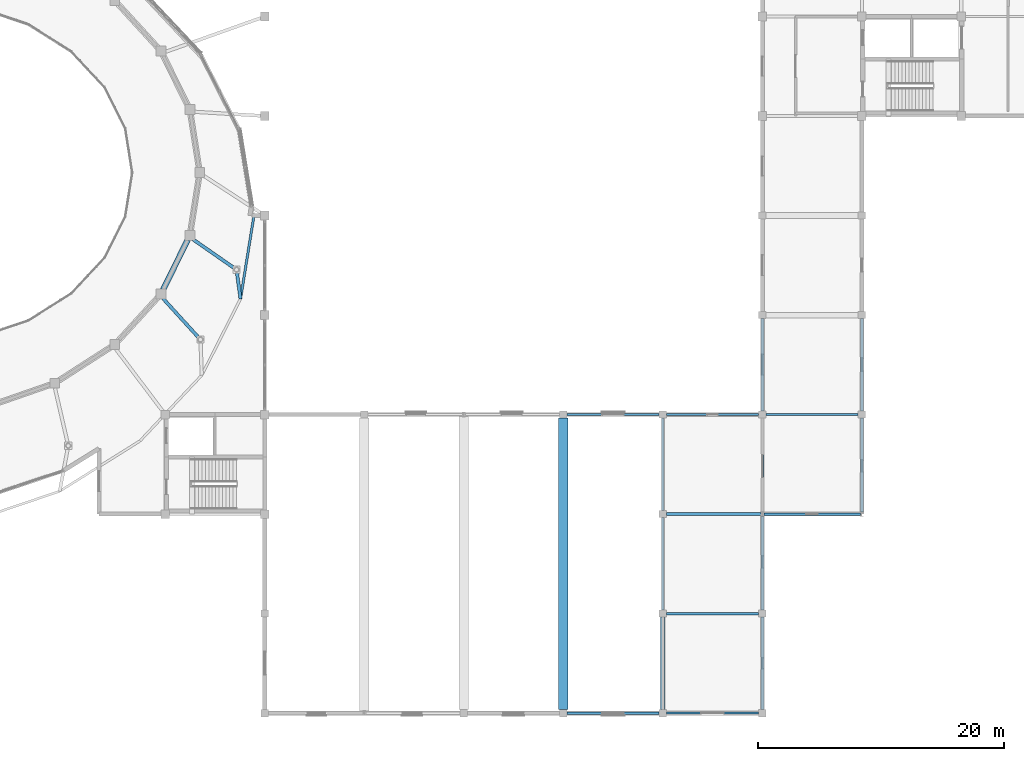
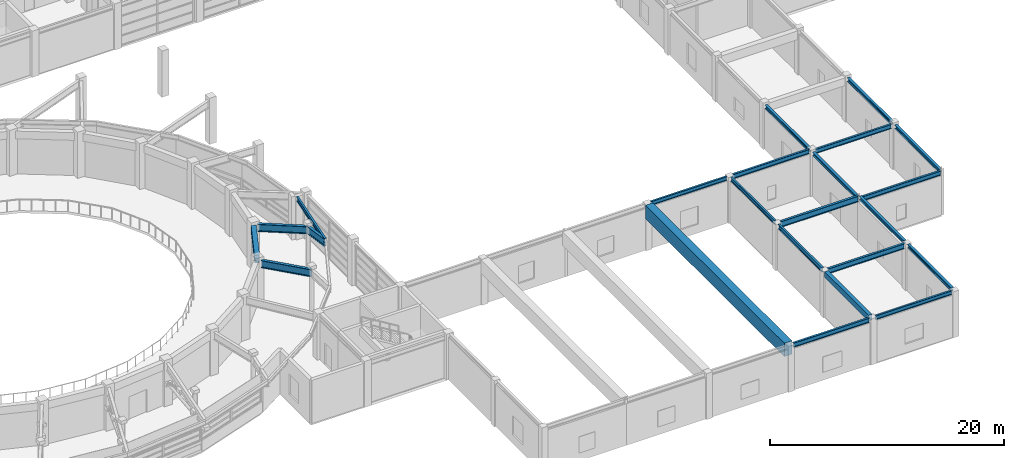
# One storey, part 21 of 58: 23 beams.
"""IFC4 building model written with IfcOpenShell, lengths in metres."""

from ifc_helpers import new_model, si_unit, direction, frame, origin, origin_2d, place, context, subcontext, project, spatial, rectangle, i_section, extrude, material, material_profile, profile_set, type_object, element, save


model = new_model("IFC4")

# Units and contexts
model_context = context("Model", 3, precision=1e-05, world=origin(), true_north=direction((0.0, 1.0)))
body_context = subcontext(model_context, "Body", "Model", "MODEL_VIEW")
ifc_project = project(units=[si_unit("LENGTHUNIT", "METRE"), si_unit("AREAUNIT", "SQUARE_METRE"), si_unit("VOLUMEUNIT", "CUBIC_METRE"), si_unit("PLANEANGLEUNIT", "RADIAN"), si_unit("MASSUNIT", "GRAM", prefix="KILO")], contexts=[model_context])

# Site, building, storey
site_placement = place(None, origin())
site = spatial("IfcSite", under=ifc_project, at=site_placement, CompositionType="ELEMENT")
building_placement = place(site_placement, origin())
building = spatial("IfcBuilding", under=site, at=building_placement, Name="Parian Resonance Hall", CompositionType="ELEMENT")
storey_placement = place(building_placement, frame((0.0, 0.0, 10.199951171875)))
storey = spatial("IfcBuildingStorey", under=building, at=storey_placement, Name="L02", CompositionType="ELEMENT", Elevation=10.199951171875)

# Beams
ifc_material_1 = material(Name="Concrete C40/50", Category="concrete")
ifc_material_profile_1 = material_profile(ifc_material_1, rectangle(XDim=0.35009765625, YDim=0.60009765625, at=origin_2d()), Name="RC-BM-350x600")
ifc_profile_set_1 = profile_set([ifc_material_profile_1], Name="Concrete C40/50")
beam_type_1 = type_object("IfcBeamType", Name="BM-RC350x600", PredefinedType="BEAM", material=ifc_profile_set_1)
beam_1_placement = place(storey_placement, frame((105.300048828125, 0.300048828125, 4.5), z_axis=(0.0, 1.0, 0.0), x_axis=(-1.0, 0.0, 0.0)))
element("IfcBeam", 1, at=beam_1_placement, inside=storey, type_object=beam_type_1, Name="GY-L02-0772", PredefinedType="BEAM", context=body_context, shape_type="SweptSolid", body=[
    extrude(rectangle(XDim=0.35009765625, YDim=0.60009765625, at=origin_2d()), origin(), (0.0, 0.0, 1.0), 7.5),
])
ifc_material_2 = material(Name="Concrete C40/50", Category="concrete")
ifc_material_profile_2 = material_profile(ifc_material_2, rectangle(XDim=0.449951171875, YDim=0.800048828125, at=origin_2d()), Name="RC-BM-450x800")
ifc_profile_set_2 = profile_set([ifc_material_profile_2], Name="Concrete C40/50")
beam_type_2 = type_object("IfcBeamType", Name="BM-RC450x800", PredefinedType="USERDEFINED", material=ifc_profile_set_2)
beam_2_placement = place(storey_placement, frame((64.615234375, 34.458740234375, 4.130126953125), z_axis=(0.442697851544, 0.896670849441, 0.0), x_axis=(-0.896670849441, 0.442697851544, 0.0)))
element("IfcBeam", 2, at=beam_2_placement, inside=storey, type_object=beam_type_2, Name="Concert hall drum ring beam L02-23", ObjectType="GIRDER", PredefinedType="USERDEFINED", context=body_context, shape_type="SweptSolid", body=[
    extrude(rectangle(XDim=0.449951171875, YDim=0.800048828125, at=origin_2d()), origin(), (0.0, 0.0, 1.0), 4.525390625),
])
ifc_material_3 = material(Name="Concrete C40/50", Category="concrete")
ifc_material_profile_3 = material_profile(ifc_material_3, rectangle(XDim=0.75, YDim=1.39990234375, at=origin_2d()), Name="RC-TG-750x1400")
ifc_profile_set_3 = profile_set([ifc_material_profile_3], Name="Concrete C40/50")
beam_type_3 = type_object("IfcBeamType", Name="BM-RCTG750x1400", PredefinedType="USERDEFINED", material=ifc_profile_set_3)
beam_3_placement = place(storey_placement, frame((97.199951171875, 0.300048828125, 4.10009765625), z_axis=(0.0, 1.0, 0.0), x_axis=(-1.0, 0.0, 0.0)))
element("IfcBeam", 3, at=beam_3_placement, inside=storey, type_object=beam_type_3, Name="Orchestra Rehearsal Room clear-span roof transfer girder 3", ObjectType="GIRDER", PredefinedType="USERDEFINED", context=body_context, shape_type="SweptSolid", body=[
    extrude(rectangle(XDim=0.75, YDim=1.39990234375, at=origin_2d()), origin(), (0.0, 0.0, 1.0), 23.699951171875),
])
ifc_material_4 = material(Name="Steel S355", Category="steel")
ifc_material_profile_4 = material_profile(ifc_material_4, i_section(OverallWidth=0.2548828125, OverallDepth=0.35693359375, WebThickness=0.010498046875, FlangeThickness=0.018310546875, FilletRadius=0.01513671875, at=origin_2d()), Name="W360x101")
ifc_profile_set_4 = profile_set([ifc_material_profile_4], Name="Steel S355")
beam_type_4 = type_object("IfcBeamType", Name="BM-W360x101", PredefinedType="SPANDREL", material=ifc_profile_set_4)
beam_4_placement = place(storey_placement, frame((113.39990234375, 0.300048828125, 4.62158203125), z_axis=(0.0, 1.0, 0.0), x_axis=(-1.0, 0.0, 0.0)))
element("IfcBeam", 4, at=beam_4_placement, inside=storey, type_object=beam_type_4, Name="GY-L02-0777", PredefinedType="SPANDREL", context=body_context, shape_type="SweptSolid", body=[
    extrude(i_section(OverallWidth=0.2548828125, OverallDepth=0.35693359375, WebThickness=0.010498046875, FlangeThickness=0.018310546875, FilletRadius=0.01513671875, at=origin_2d()), origin(), (0.0, 0.0, 1.0), 7.5),
])
for number, where, z_axis, x_axis, name in (
    (5, (113.39990234375, 8.39990234375, 4.62158203125), (0.0, 1.0, 0.0), (-1.0, 0.0, 0.0), "GY-L02-0778"),
    (6, (113.39990234375, 16.37841796875, 4.3916015625), (0.0, 1.0, 0.0), (-1.0, 0.0, 0.0), "GY-L02-0779"),
):
    element("IfcBeam", number, at=place(storey_placement, frame(where, z_axis=z_axis, x_axis=x_axis)), inside=storey, type_object=beam_type_4, Name=name, PredefinedType="SPANDREL", context=body_context, shape_type="SweptSolid", body=[
        extrude(i_section(OverallWidth=0.2548828125, OverallDepth=0.35693359375, WebThickness=0.010498046875, FlangeThickness=0.018310546875, FilletRadius=0.01513671875, at=origin_2d()), origin(), (0.0, 0.0, 1.0), 7.62158203125),
    ])
beam_5_placement = place(storey_placement, frame((113.39990234375, 24.60009765625, 4.3916015625), z_axis=(0.0, 1.0, 0.0), x_axis=(-1.0, 0.0, 0.0)))
element("IfcBeam", 7, at=beam_5_placement, inside=storey, type_object=beam_type_4, Name="GY-L02-0780", PredefinedType="SPANDREL", context=body_context, shape_type="SweptSolid", body=[
    extrude(i_section(OverallWidth=0.2548828125, OverallDepth=0.35693359375, WebThickness=0.010498046875, FlangeThickness=0.018310546875, FilletRadius=0.01513671875, at=origin_2d()), origin(), (0.0, 0.0, 1.0), 7.5),
])
beam_6_placement = place(storey_placement, frame((121.5, 16.37841796875, 4.3916015625), z_axis=(0.0, 1.0, 0.0), x_axis=(-1.0, 0.0, 0.0)))
element("IfcBeam", 8, at=beam_6_placement, inside=storey, type_object=beam_type_4, Name="GY-L02-0788", PredefinedType="SPANDREL", context=body_context, shape_type="SweptSolid", body=[
    extrude(i_section(OverallWidth=0.2548828125, OverallDepth=0.35693359375, WebThickness=0.010498046875, FlangeThickness=0.018310546875, FilletRadius=0.01513671875, at=origin_2d()), origin(), (0.0, 0.0, 1.0), 7.62158203125),
])
beam_7_placement = place(storey_placement, frame((121.5, 24.60009765625, 4.3916015625), z_axis=(0.0, 1.0, 0.0), x_axis=(-1.0, 0.0, 0.0)))
element("IfcBeam", 9, at=beam_7_placement, inside=storey, type_object=beam_type_4, Name="GY-L02-0789", PredefinedType="SPANDREL", context=body_context, shape_type="SweptSolid", body=[
    extrude(i_section(OverallWidth=0.2548828125, OverallDepth=0.35693359375, WebThickness=0.010498046875, FlangeThickness=0.018310546875, FilletRadius=0.01513671875, at=origin_2d()), origin(), (0.0, 0.0, 1.0), 7.5),
])
ifc_material_5 = material(Name="Steel S355", Category="steel")
ifc_material_profile_5 = material_profile(ifc_material_5, i_section(OverallWidth=0.180908203125, OverallDepth=0.4169921875, WebThickness=0.010986328125, FlangeThickness=0.018310546875, FilletRadius=0.01513671875, at=origin_2d()), Name="W410x85")
ifc_profile_set_5 = profile_set([ifc_material_profile_5], Name="Steel S355")
beam_type_5 = type_object("IfcBeamType", Name="BM-W410x85", PredefinedType="SPANDREL", material=ifc_profile_set_5)
for number, where, z_axis, x_axis, name in (
    (10, (97.5, 24.300048828125, 4.591552734375), (1.0, 0.0, 0.0), (0.0, 1.0, 0.0), "GX-L02-0701"),
    (11, (105.60009765625, 0.0, 4.591552734375), (1.0, 0.0, 0.0), (0.0, 1.0, 0.0), "GX-L02-0705"),
    (12, (105.300048828125, 16.5, 4.591552734375), (0.0, 1.0, 0.0), (-1.0, 0.0, 0.0), "GY-L02-0774"),
):
    element("IfcBeam", number, at=place(storey_placement, frame(where, z_axis=z_axis, x_axis=x_axis)), inside=storey, type_object=beam_type_5, Name=name, PredefinedType="SPANDREL", context=body_context, shape_type="SweptSolid", body=[
        extrude(i_section(OverallWidth=0.180908203125, OverallDepth=0.4169921875, WebThickness=0.010986328125, FlangeThickness=0.018310546875, FilletRadius=0.01513671875, at=origin_2d()), origin(), (0.0, 0.0, 1.0), 7.5),
    ])
ifc_material_6 = material(Name="Steel S355", Category="steel")
ifc_material_profile_6 = material_profile(ifc_material_6, i_section(OverallWidth=0.194091796875, OverallDepth=0.468994140625, WebThickness=0.0126953125, FlangeThickness=0.0205078125, FilletRadius=0.01513671875, at=origin_2d()), Name="W460x106")
ifc_profile_set_6 = profile_set([ifc_material_profile_6], Name="Steel S355")
beam_type_6 = type_object("IfcBeamType", Name="BM-W460x106", PredefinedType="SPANDREL", material=ifc_profile_set_6)
for number, where, z_axis, x_axis, name in (
    (13, (97.5, 0.0, 4.5654296875), (1.0, 0.0, 0.0), (0.0, 1.0, 0.0), "GX-L02-0700"),
    (14, (105.60009765625, 24.300048828125, 4.5654296875), (1.0, 0.0, 0.0), (0.0, 1.0, 0.0), "GX-L02-0708"),
):
    element("IfcBeam", number, at=place(storey_placement, frame(where, z_axis=z_axis, x_axis=x_axis)), inside=storey, type_object=beam_type_6, Name=name, PredefinedType="SPANDREL", context=body_context, shape_type="SweptSolid", body=[
        extrude(i_section(OverallWidth=0.194091796875, OverallDepth=0.468994140625, WebThickness=0.0126953125, FlangeThickness=0.0205078125, FilletRadius=0.01513671875, at=origin_2d()), origin(), (0.0, 0.0, 1.0), 7.5),
    ])
beam_8_placement = place(storey_placement, frame((113.527587890625, 16.199951171875, 4.33544921875), z_axis=(1.0, 0.0, 0.0), x_axis=(0.0, 1.0, 0.0)))
element("IfcBeam", 15, at=beam_8_placement, inside=storey, type_object=beam_type_6, Name="GX-L02-0712", PredefinedType="SPANDREL", context=body_context, shape_type="SweptSolid", body=[
    extrude(i_section(OverallWidth=0.194091796875, OverallDepth=0.468994140625, WebThickness=0.0126953125, FlangeThickness=0.0205078125, FilletRadius=0.01513671875, at=origin_2d()), origin(), (0.0, 0.0, 1.0), 7.844970703125),
])
beam_9_placement = place(storey_placement, frame((105.300048828125, 8.39990234375, 4.5654296875), z_axis=(0.0, 1.0, 0.0), x_axis=(-1.0, 0.0, 0.0)))
element("IfcBeam", 16, at=beam_9_placement, inside=storey, type_object=beam_type_6, Name="GY-L02-0773", PredefinedType="SPANDREL", context=body_context, shape_type="SweptSolid", body=[
    extrude(i_section(OverallWidth=0.194091796875, OverallDepth=0.468994140625, WebThickness=0.0126953125, FlangeThickness=0.0205078125, FilletRadius=0.01513671875, at=origin_2d()), origin(), (0.0, 0.0, 1.0), 7.5),
])
beam_10_placement = place(storey_placement, frame((70.92333984375, 33.722412109375, 4.265625), z_axis=(0.159181370366, 0.987249356206, 0.0), x_axis=(-0.987249356206, 0.159181370366, 0.0)))
element("IfcBeam", 17, at=beam_10_placement, inside=storey, type_object=beam_type_6, Name="Elliptical R3 perimeter spandrel beam 24", PredefinedType="SPANDREL", context=body_context, shape_type="SweptSolid", body=[
    extrude(i_section(OverallWidth=0.194091796875, OverallDepth=0.468994140625, WebThickness=0.0126953125, FlangeThickness=0.0205078125, FilletRadius=0.01513671875, at=origin_2d()), origin(), (0.0, 0.0, 1.0), 6.763671875),
])
ifc_material_7 = material(Name="Steel S355", Category="steel")
ifc_material_profile_7 = material_profile(ifc_material_7, i_section(OverallWidth=0.19091796875, OverallDepth=0.4599609375, WebThickness=0.010009765625, FlangeThickness=0.01611328125, FilletRadius=0.01513671875, at=origin_2d()), Name="W460x82")
ifc_profile_set_7 = profile_set([ifc_material_profile_7], Name="Steel S355")
beam_type_7 = type_object("IfcBeamType", Name="BM-W460x82", PredefinedType="BEAM", material=ifc_profile_set_7)
beam_11_placement = place(storey_placement, frame((113.699951171875, 24.300048828125, 4.340087890625), z_axis=(1.0, 0.0, 0.0), x_axis=(0.0, 1.0, 0.0)))
element("IfcBeam", 18, at=beam_11_placement, inside=storey, type_object=beam_type_7, Name="GX-L02-0713", PredefinedType="BEAM", context=body_context, shape_type="SweptSolid", body=[
    extrude(i_section(OverallWidth=0.19091796875, OverallDepth=0.4599609375, WebThickness=0.010009765625, FlangeThickness=0.01611328125, FilletRadius=0.01513671875, at=origin_2d()), origin(), (0.0, 0.0, 1.0), 7.5),
])
ifc_material_8 = material(Name="Steel S355", Category="steel")
ifc_material_profile_8 = material_profile(ifc_material_8, i_section(OverallWidth=0.2119140625, OverallDepth=0.5439453125, WebThickness=0.01318359375, FlangeThickness=0.021240234375, FilletRadius=0.017822265625, at=origin_2d()), Name="W530x123")
ifc_profile_set_8 = profile_set([ifc_material_profile_8], Name="Steel S355")
beam_type_8 = type_object("IfcBeamType", Name="BM-W530x123", PredefinedType="USERDEFINED", material=ifc_profile_set_8)
beam_12_placement = place(storey_placement, frame((105.60009765625, 8.10009765625, 4.528076171875), z_axis=(1.0, 0.0, 0.0), x_axis=(0.0, 1.0, 0.0)))
element("IfcBeam", 19, at=beam_12_placement, inside=storey, type_object=beam_type_8, Name="GX-L02-0706", ObjectType="GIRDER", PredefinedType="USERDEFINED", context=body_context, shape_type="SweptSolid", body=[
    extrude(i_section(OverallWidth=0.2119140625, OverallDepth=0.5439453125, WebThickness=0.01318359375, FlangeThickness=0.021240234375, FilletRadius=0.017822265625, at=origin_2d()), origin(), (0.0, 0.0, 1.0), 7.5),
])
ifc_material_9 = material(Name="Steel S355", Category="steel")
ifc_material_profile_9 = material_profile(ifc_material_9, i_section(OverallWidth=0.22802734375, OverallDepth=0.60791015625, WebThickness=0.01123046875, FlangeThickness=0.017333984375, FilletRadius=0.017822265625, at=origin_2d()), Name="W610x113")
ifc_profile_set_9 = profile_set([ifc_material_profile_9], Name="Steel S355")
beam_type_9 = type_object("IfcBeamType", Name="BM-W610x113", PredefinedType="USERDEFINED", material=ifc_profile_set_9)
beam_13_placement = place(storey_placement, frame((105.60009765625, 16.199951171875, 4.49609375), z_axis=(1.0, 0.0, 0.0), x_axis=(0.0, 1.0, 0.0)))
element("IfcBeam", 20, at=beam_13_placement, inside=storey, type_object=beam_type_9, Name="GX-L02-0707", ObjectType="GIRDER", PredefinedType="USERDEFINED", context=body_context, shape_type="SweptSolid", body=[
    extrude(i_section(OverallWidth=0.22802734375, OverallDepth=0.60791015625, WebThickness=0.01123046875, FlangeThickness=0.017333984375, FilletRadius=0.017822265625, at=origin_2d()), origin(), (0.0, 0.0, 1.0), 7.67236328125),
])
ifc_material_10 = material(Name="Steel S355", Category="steel")
ifc_material_profile_10 = material_profile(ifc_material_10, i_section(OverallWidth=0.26806640625, OverallDepth=0.77001953125, WebThickness=0.015625, FlangeThickness=0.025390625, FilletRadius=0.020263671875, at=origin_2d()), Name="W760x196")
ifc_profile_set_10 = profile_set([ifc_material_profile_10], Name="Steel S355")
beam_type_10 = type_object("IfcBeamType", Name="CG3 W760x196", PredefinedType="USERDEFINED", material=ifc_profile_set_10)
beam_14_placement = place(storey_placement, frame((64.618408203125, 33.742919921875, 4.114990234375), z_axis=(0.67311085551, -0.739541598692, 0.0), x_axis=(0.739541598692, 0.67311085551, 0.0)))
element("IfcBeam", 21, at=beam_14_placement, inside=storey, type_object=beam_type_10, Name="Radial ring back-span girder R3-23", ObjectType="GIRDER", PredefinedType="USERDEFINED", context=body_context, shape_type="SweptSolid", body=[
    extrude(i_section(OverallWidth=0.26806640625, OverallDepth=0.77001953125, WebThickness=0.015625, FlangeThickness=0.025390625, FilletRadius=0.020263671875, at=origin_2d()), origin(), (0.0, 0.0, 1.0), 4.5205078125),
])
beam_15_placement = place(storey_placement, frame((67.0458984375, 38.563232421875, 4.114990234375), z_axis=(0.820871853084, -0.571112423971, 0.0), x_axis=(0.571112423971, 0.820871853084, 0.0)))
element("IfcBeam", 22, at=beam_15_placement, inside=storey, type_object=beam_type_10, Name="Radial ring back-span girder R3-24", ObjectType="GIRDER", PredefinedType="USERDEFINED", context=body_context, shape_type="SweptSolid", body=[
    extrude(i_section(OverallWidth=0.26806640625, OverallDepth=0.77001953125, WebThickness=0.015625, FlangeThickness=0.025390625, FilletRadius=0.020263671875, at=origin_2d()), origin(), (0.0, 0.0, 1.0), 4.327392578125),
])
beam_16_placement = place(storey_placement, frame((70.59814453125, 36.091796875, 4.114990234375), z_axis=(0.135974126898, -0.990712388544, 0.0), x_axis=(0.990712388544, 0.135974126898, 0.0)))
element("IfcBeam", 23, at=beam_16_placement, inside=storey, type_object=beam_type_10, Name="Radial ring cantilever girder R3-24", ObjectType="GIRDER", PredefinedType="USERDEFINED", context=body_context, shape_type="SweptSolid", body=[
    extrude(i_section(OverallWidth=0.26806640625, OverallDepth=0.77001953125, WebThickness=0.015625, FlangeThickness=0.025390625, FilletRadius=0.020263671875, at=origin_2d()), origin(), (0.0, 0.0, 1.0), 2.3916015625),
])

save(model, "model.ifc")
